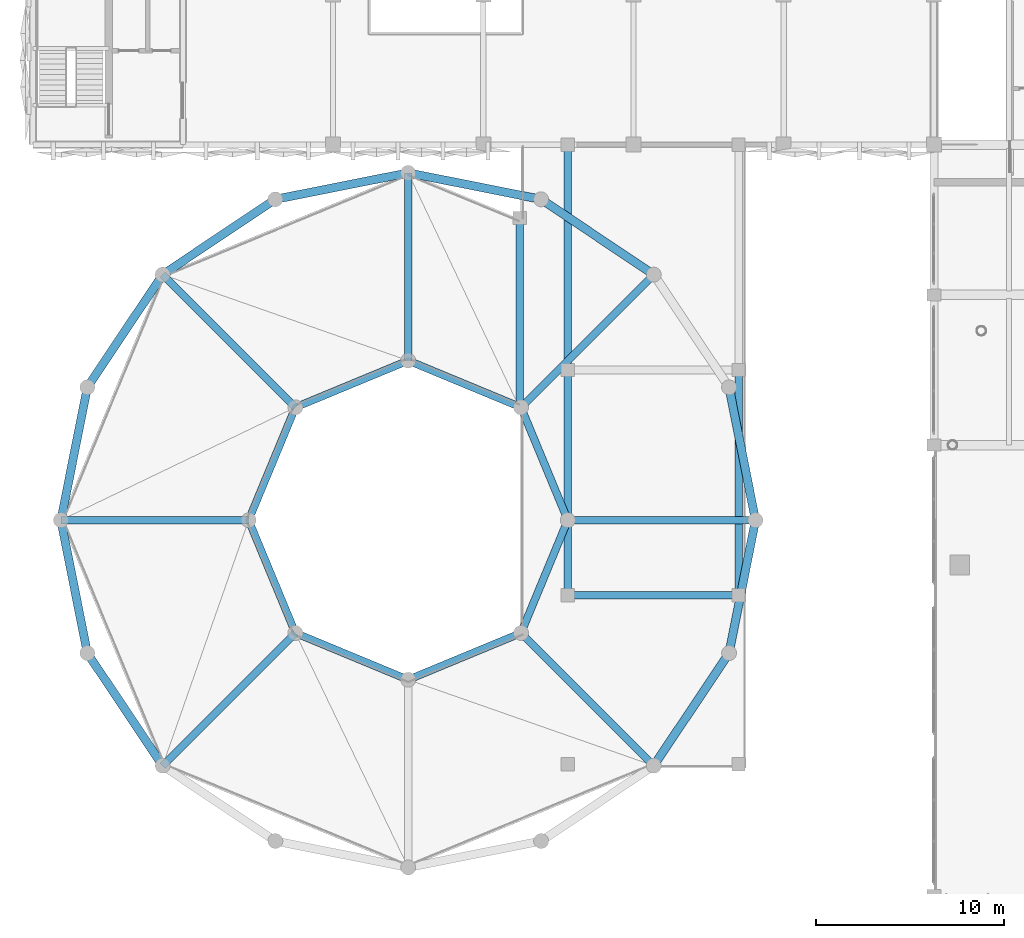
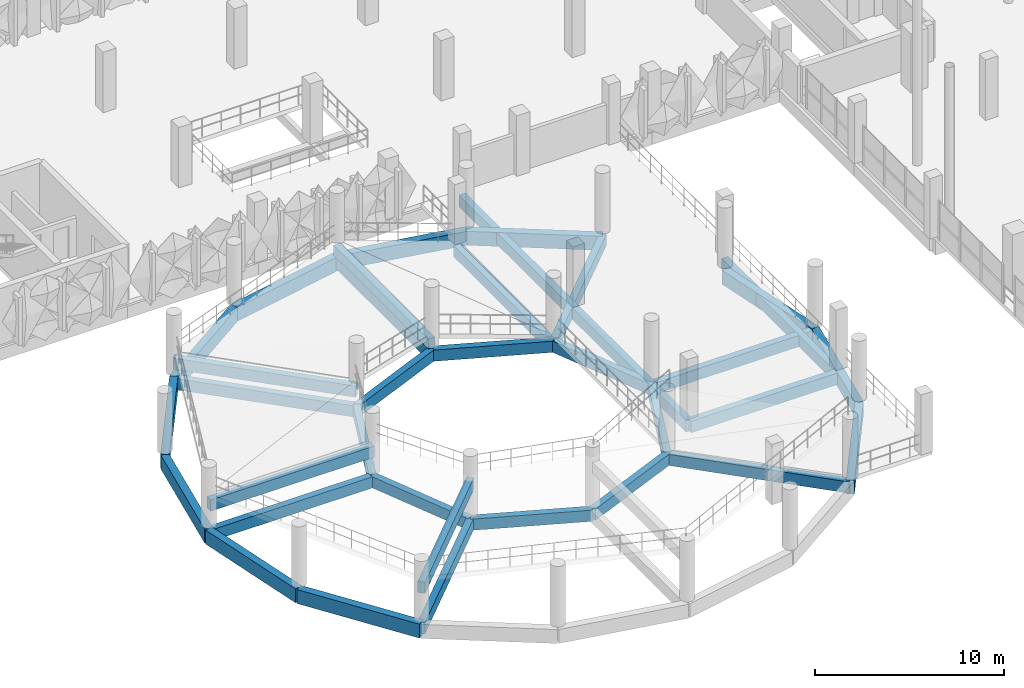
# One storey, part 22 of 123: 35 beams.
"""IFC4 building model written with IfcOpenShell, lengths in metres."""

from ifc_helpers import new_model, si_unit, derived_unit, direction, frame, origin, origin_2d, place, context, subcontext, project, spatial, rectangle, extrude, material, material_profile, profile_set, type_object, element, save


model = new_model("IFC4")

# Units and contexts
model_context = context("Model", 3, precision=1e-05, world=origin(), true_north=direction((0.0, 1.0)))
body_context = subcontext(model_context, "Body", "Model", "MODEL_VIEW")
ifc_project = project(units=[si_unit("LENGTHUNIT", "METRE"), si_unit("AREAUNIT", "SQUARE_METRE"), si_unit("VOLUMEUNIT", "CUBIC_METRE"), si_unit("PLANEANGLEUNIT", "RADIAN"), si_unit("MASSUNIT", "GRAM", prefix="KILO"), si_unit("THERMODYNAMICTEMPERATUREUNIT", "KELVIN"), derived_unit("THERMALTRANSMITTANCEUNIT", [(si_unit("POWERUNIT", "WATT"), 1), (si_unit("AREAUNIT", "SQUARE_METRE"), -1), (si_unit("THERMODYNAMICTEMPERATUREUNIT", "KELVIN"), -1)])], contexts=[model_context])

# Site, building, storey
site_placement = place(None, origin())
site = spatial("IfcSite", under=ifc_project, at=site_placement, CompositionType="ELEMENT")
building_placement = place(site_placement, origin())
building = spatial("IfcBuilding", under=site, at=building_placement, Name="Haiyu Intermodal Mobility Hub", CompositionType="ELEMENT")
storey_placement = place(building_placement, frame((0.0, 0.0, 5.60009765625)))
storey = spatial("IfcBuildingStorey", under=building, at=storey_placement, Name="L01", CompositionType="ELEMENT", Elevation=5.60009765625)

# Beams
ifc_material = material(Name="Concrete C40", Category="concrete")
ifc_material_profile_1 = material_profile(ifc_material, rectangle(XDim=0.39990234375, YDim=0.75, at=origin_2d()), Name="RCB400x750")
ifc_profile_set_1 = profile_set([ifc_material_profile_1], Name="Concrete C40")
beam_type_1 = type_object("IfcBeamType", Name="BM-CB03", PredefinedType="BEAM", material=ifc_profile_set_1)
beam_1_placement = place(storey_placement, frame((42.5, 56.0, -0.655029296875), z_axis=(1.0, 0.0, 0.0), x_axis=(0.0, 1.0, 0.0)))
element("IfcBeam", 1, at=beam_1_placement, inside=storey, type_object=beam_type_1, Name="BM-RMPL-L01-033", PredefinedType="BEAM", context=body_context, shape_type="SweptSolid", body=[
    extrude(rectangle(XDim=0.39990234375, YDim=0.75, at=origin_2d()), origin(), (0.0, 0.0, 1.0), 9.10009765625),
])
for number, where, z_axis, x_axis, name in (
    (2, (51.60009765625, 56.0, -0.655029296875), (0.0, 1.0, 0.0), (-1.0, 0.0, 0.0), "BM-RMPLE-L01-036"),
    (3, (42.5, 56.0, -0.655029296875), (0.0, 1.0, 0.0), (-1.0, 0.0, 0.0), "BM-RMPLW-L01-037"),
    (4, (42.5, 68.0, -0.655029296875), (0.0, 1.0, 0.0), (-1.0, 0.0, 0.0), "BM-RMPLW-L01-039"),
):
    element("IfcBeam", number, at=place(storey_placement, frame(where, z_axis=z_axis, x_axis=x_axis)), inside=storey, type_object=beam_type_1, Name=name, PredefinedType="BEAM", context=body_context, shape_type="SweptSolid", body=[
        extrude(rectangle(XDim=0.39990234375, YDim=0.75, at=origin_2d()), origin(), (0.0, 0.0, 1.0), 12.0),
    ])
ifc_material_profile_2 = material_profile(ifc_material, rectangle(XDim=0.449951171875, YDim=0.89990234375, at=origin_2d()), Name="RCB450x900")
ifc_profile_set_2 = profile_set([ifc_material_profile_2], Name="Concrete C40")
beam_type_2 = type_object("IfcBeamType", Name="BM-CB10", PredefinedType="BEAM", material=ifc_profile_set_2)
beam_2_placement = place(storey_placement, frame((52.5, 60.0, -0.72998046875), z_axis=(-0.195042866972, 0.980794718605, 0.0), x_axis=(-0.980794718605, -0.195042866972, 0.0)))
element("IfcBeam", 5, at=beam_2_placement, inside=storey, type_object=beam_type_2, Name="BM-RMP-O-L01-001", PredefinedType="BEAM", context=body_context, shape_type="SweptSolid", body=[
    extrude(rectangle(XDim=0.449951171875, YDim=0.89990234375, at=origin_2d()), origin(), (0.0, 0.0, 1.0), 7.21875),
])
beam_3_placement = place(storey_placement, frame((47.0810546875, 73.0810546875, -0.72998046875), z_axis=(-0.831388838942, 0.555691099877, 0.0), x_axis=(-0.555691099877, -0.831388838942, 0.0)))
element("IfcBeam", 6, at=beam_3_placement, inside=storey, type_object=beam_type_2, Name="BM-RMP-O-L01-003", PredefinedType="BEAM", context=body_context, shape_type="SweptSolid", body=[
    extrude(rectangle(XDim=0.449951171875, YDim=0.89990234375, at=origin_2d()), origin(), (0.0, 0.0, 1.0), 7.218017578125),
])
for number, where, z_axis, x_axis, name in (
    (7, (41.080078125, 77.092041015625, -0.72998046875), (-0.980794718605, 0.195042866972, 0.0), (-0.195042866972, -0.980794718605, 0.0), "BM-RMP-O-L01-004"),
    (8, (34.0, 78.5, -0.72998046875), (-0.980794718605, -0.195042866972, 0.0), (0.195042866972, -0.980794718605, 0.0), "BM-RMP-O-L01-005"),
):
    element("IfcBeam", number, at=place(storey_placement, frame(where, z_axis=z_axis, x_axis=x_axis)), inside=storey, type_object=beam_type_2, Name=name, PredefinedType="BEAM", context=body_context, shape_type="SweptSolid", body=[
        extrude(rectangle(XDim=0.449951171875, YDim=0.89990234375, at=origin_2d()), origin(), (0.0, 0.0, 1.0), 7.21875),
    ])
for number, where, z_axis, x_axis, name in (
    (9, (26.919921875, 77.092041015625, -0.72998046875), (-0.831388838942, -0.555691099877, 0.0), (0.555691099877, -0.831388838942, 0.0), "BM-RMP-O-L01-006"),
    (10, (20.9189453125, 73.0810546875, -0.72998046875), (-0.555691099877, -0.831388838942, 0.0), (0.831388838942, -0.555691099877, 0.0), "BM-RMP-O-L01-007"),
):
    element("IfcBeam", number, at=place(storey_placement, frame(where, z_axis=z_axis, x_axis=x_axis)), inside=storey, type_object=beam_type_2, Name=name, PredefinedType="BEAM", context=body_context, shape_type="SweptSolid", body=[
        extrude(rectangle(XDim=0.449951171875, YDim=0.89990234375, at=origin_2d()), origin(), (0.0, 0.0, 1.0), 7.218017578125),
    ])
for number, where, z_axis, x_axis, name in (
    (11, (16.907958984375, 67.080078125, -0.72998046875), (-0.195042866972, -0.980794718605, 0.0), (0.980794718605, -0.195042866972, 0.0), "BM-RMP-O-L01-008"),
    (12, (15.5, 60.0, -0.72998046875), (0.195042866972, -0.980794718605, 0.0), (0.980794718605, 0.195042866972, 0.0), "BM-RMP-O-L01-009"),
):
    element("IfcBeam", number, at=place(storey_placement, frame(where, z_axis=z_axis, x_axis=x_axis)), inside=storey, type_object=beam_type_2, Name=name, PredefinedType="BEAM", context=body_context, shape_type="SweptSolid", body=[
        extrude(rectangle(XDim=0.449951171875, YDim=0.89990234375, at=origin_2d()), origin(), (0.0, 0.0, 1.0), 7.21875),
    ])
for number, where, z_axis, x_axis, name in (
    (13, (16.907958984375, 52.919921875, -0.72998046875), (0.555691099877, -0.831388838942, 0.0), (0.831388838942, 0.555691099877, 0.0), "BM-RMP-O-L01-010"),
    (14, (47.0810546875, 46.9189453125, -0.72998046875), (0.555691099877, 0.831388838942, 0.0), (-0.831388838942, 0.555691099877, 0.0), "BM-RMP-O-L01-015"),
):
    element("IfcBeam", number, at=place(storey_placement, frame(where, z_axis=z_axis, x_axis=x_axis)), inside=storey, type_object=beam_type_2, Name=name, PredefinedType="BEAM", context=body_context, shape_type="SweptSolid", body=[
        extrude(rectangle(XDim=0.449951171875, YDim=0.89990234375, at=origin_2d()), origin(), (0.0, 0.0, 1.0), 7.218017578125),
    ])
beam_4_placement = place(storey_placement, frame((51.092041015625, 52.919921875, -0.72998046875), z_axis=(0.195042866972, 0.980794718605, 0.0), x_axis=(-0.980794718605, 0.195042866972, 0.0)))
element("IfcBeam", 15, at=beam_4_placement, inside=storey, type_object=beam_type_2, Name="BM-RMP-O-L01-016", PredefinedType="BEAM", context=body_context, shape_type="SweptSolid", body=[
    extrude(rectangle(XDim=0.449951171875, YDim=0.89990234375, at=origin_2d()), origin(), (0.0, 0.0, 1.0), 7.21875),
])
ifc_material_profile_3 = material_profile(ifc_material, rectangle(XDim=0.39990234375, YDim=0.719970703125, at=origin_2d()), Name="RCB400x720")
ifc_profile_set_3 = profile_set([ifc_material_profile_3], Name="Concrete C40")
beam_type_3 = type_object("IfcBeamType", Name="BM-CB11", PredefinedType="BEAM", material=ifc_profile_set_3)
beam_5_placement = place(storey_placement, frame((42.5, 60.0, -0.64013671875), z_axis=(-0.382757258538, 0.923848949253, 0.0), x_axis=(-0.923848949253, -0.382757258538, 0.0)))
element("IfcBeam", 16, at=beam_5_placement, inside=storey, type_object=beam_type_3, Name="BM-RMP-I-L01-017", PredefinedType="BEAM", context=body_context, shape_type="SweptSolid", body=[
    extrude(rectangle(XDim=0.39990234375, YDim=0.719970703125, at=origin_2d()), origin(), (0.0, 0.0, 1.0), 6.50537109375),
])
beam_6_placement = place(storey_placement, frame((42.5, 60.0, -0.64013671875), z_axis=(1.0, 0.0, 0.0), x_axis=(0.0, 1.0, 0.0)))
element("IfcBeam", 17, at=beam_6_placement, inside=storey, type_object=beam_type_3, Name="BM-RMP-R-L01-018", PredefinedType="BEAM", context=body_context, shape_type="SweptSolid", body=[
    extrude(rectangle(XDim=0.39990234375, YDim=0.719970703125, at=origin_2d()), origin(), (0.0, 0.0, 1.0), 10.0),
])
beam_7_placement = place(storey_placement, frame((40.010009765625, 66.010009765625, -0.64013671875), z_axis=(-0.923848949253, 0.382757258538, 0.0), x_axis=(-0.382757258538, -0.923848949253, 0.0)))
element("IfcBeam", 18, at=beam_7_placement, inside=storey, type_object=beam_type_3, Name="BM-RMP-I-L01-019", PredefinedType="BEAM", context=body_context, shape_type="SweptSolid", body=[
    extrude(rectangle(XDim=0.39990234375, YDim=0.719970703125, at=origin_2d()), origin(), (0.0, 0.0, 1.0), 6.50537109375),
])
beam_8_placement = place(storey_placement, frame((40.010009765625, 66.010009765625, -0.64013671875), z_axis=(0.707106781187, 0.707106781187, 0.0), x_axis=(-0.707106781187, 0.707106781187, 0.0)))
element("IfcBeam", 19, at=beam_8_placement, inside=storey, type_object=beam_type_3, Name="BM-RMP-R-L01-020", PredefinedType="BEAM", context=body_context, shape_type="SweptSolid", body=[
    extrude(rectangle(XDim=0.39990234375, YDim=0.719970703125, at=origin_2d()), origin(), (0.0, 0.0, 1.0), 10.0),
])
beam_9_placement = place(storey_placement, frame((34.0, 68.5, -0.64013671875), z_axis=(-0.923848949253, -0.382757258538, 0.0), x_axis=(0.382757258538, -0.923848949253, 0.0)))
element("IfcBeam", 20, at=beam_9_placement, inside=storey, type_object=beam_type_3, Name="BM-RMP-I-L01-021", PredefinedType="BEAM", context=body_context, shape_type="SweptSolid", body=[
    extrude(rectangle(XDim=0.39990234375, YDim=0.719970703125, at=origin_2d()), origin(), (0.0, 0.0, 1.0), 6.50537109375),
])
beam_10_placement = place(storey_placement, frame((34.0, 68.5, -0.64013671875), z_axis=(0.0, 1.0, 0.0), x_axis=(-1.0, 0.0, 0.0)))
element("IfcBeam", 21, at=beam_10_placement, inside=storey, type_object=beam_type_3, Name="BM-RMP-R-L01-022", PredefinedType="BEAM", context=body_context, shape_type="SweptSolid", body=[
    extrude(rectangle(XDim=0.39990234375, YDim=0.719970703125, at=origin_2d()), origin(), (0.0, 0.0, 1.0), 10.0),
])
beam_11_placement = place(storey_placement, frame((27.989990234375, 66.010009765625, -0.64013671875), z_axis=(-0.382757258538, -0.923848949253, 0.0), x_axis=(0.923848949253, -0.382757258538, 0.0)))
element("IfcBeam", 22, at=beam_11_placement, inside=storey, type_object=beam_type_3, Name="BM-RMP-I-L01-023", PredefinedType="BEAM", context=body_context, shape_type="SweptSolid", body=[
    extrude(rectangle(XDim=0.39990234375, YDim=0.719970703125, at=origin_2d()), origin(), (0.0, 0.0, 1.0), 6.50537109375),
])
beam_12_placement = place(storey_placement, frame((27.989990234375, 66.010009765625, -0.64013671875), z_axis=(-0.707106781187, 0.707106781187, 0.0), x_axis=(-0.707106781187, -0.707106781187, 0.0)))
element("IfcBeam", 23, at=beam_12_placement, inside=storey, type_object=beam_type_3, Name="BM-RMP-R-L01-024", PredefinedType="BEAM", context=body_context, shape_type="SweptSolid", body=[
    extrude(rectangle(XDim=0.39990234375, YDim=0.719970703125, at=origin_2d()), origin(), (0.0, 0.0, 1.0), 10.0),
])
beam_13_placement = place(storey_placement, frame((25.5, 60.0, -0.64013671875), z_axis=(0.382757258538, -0.923848949253, 0.0), x_axis=(0.923848949253, 0.382757258538, 0.0)))
element("IfcBeam", 24, at=beam_13_placement, inside=storey, type_object=beam_type_3, Name="BM-RMP-I-L01-025", PredefinedType="BEAM", context=body_context, shape_type="SweptSolid", body=[
    extrude(rectangle(XDim=0.39990234375, YDim=0.719970703125, at=origin_2d()), origin(), (0.0, 0.0, 1.0), 6.50537109375),
])
beam_14_placement = place(storey_placement, frame((25.5, 60.0, -0.64013671875), z_axis=(-1.0, 0.0, 0.0), x_axis=(0.0, -1.0, 0.0)))
element("IfcBeam", 25, at=beam_14_placement, inside=storey, type_object=beam_type_3, Name="BM-RMP-R-L01-026", PredefinedType="BEAM", context=body_context, shape_type="SweptSolid", body=[
    extrude(rectangle(XDim=0.39990234375, YDim=0.719970703125, at=origin_2d()), origin(), (0.0, 0.0, 1.0), 10.0),
])
beam_15_placement = place(storey_placement, frame((27.989990234375, 53.989990234375, -0.64013671875), z_axis=(0.923848949253, -0.382757258538, 0.0), x_axis=(0.382757258538, 0.923848949253, 0.0)))
element("IfcBeam", 26, at=beam_15_placement, inside=storey, type_object=beam_type_3, Name="BM-RMP-I-L01-027", PredefinedType="BEAM", context=body_context, shape_type="SweptSolid", body=[
    extrude(rectangle(XDim=0.39990234375, YDim=0.719970703125, at=origin_2d()), origin(), (0.0, 0.0, 1.0), 6.50537109375),
])
beam_16_placement = place(storey_placement, frame((27.989990234375, 53.989990234375, -0.64013671875), z_axis=(-0.707106781187, -0.707106781187, 0.0), x_axis=(0.707106781187, -0.707106781187, 0.0)))
element("IfcBeam", 27, at=beam_16_placement, inside=storey, type_object=beam_type_3, Name="BM-RMP-R-L01-028", PredefinedType="BEAM", context=body_context, shape_type="SweptSolid", body=[
    extrude(rectangle(XDim=0.39990234375, YDim=0.719970703125, at=origin_2d()), origin(), (0.0, 0.0, 1.0), 10.0),
])
for number, where, z_axis, x_axis, name in (
    (28, (34.0, 51.5, -0.64013671875), (0.923848949253, 0.382757258538, 0.0), (-0.382757258538, 0.923848949253, 0.0), "BM-RMP-I-L01-029"),
    (29, (40.010009765625, 53.989990234375, -0.64013671875), (0.382757258538, 0.923848949253, 0.0), (-0.923848949253, 0.382757258538, 0.0), "BM-RMP-I-L01-031"),
):
    element("IfcBeam", number, at=place(storey_placement, frame(where, z_axis=z_axis, x_axis=x_axis)), inside=storey, type_object=beam_type_3, Name=name, PredefinedType="BEAM", context=body_context, shape_type="SweptSolid", body=[
        extrude(rectangle(XDim=0.39990234375, YDim=0.719970703125, at=origin_2d()), origin(), (0.0, 0.0, 1.0), 6.50537109375),
    ])
beam_17_placement = place(storey_placement, frame((40.010009765625, 53.989990234375, -0.64013671875), z_axis=(0.707106781187, -0.707106781187, 0.0), x_axis=(0.707106781187, 0.707106781187, 0.0)))
element("IfcBeam", 30, at=beam_17_placement, inside=storey, type_object=beam_type_3, Name="BM-RMP-R-L01-032", PredefinedType="BEAM", context=body_context, shape_type="SweptSolid", body=[
    extrude(rectangle(XDim=0.39990234375, YDim=0.719970703125, at=origin_2d()), origin(), (0.0, 0.0, 1.0), 10.0),
])
beam_18_placement = place(storey_placement, frame((39.93994140625, 66.0, -0.64501953125), z_axis=(0.0, 1.0, 0.0), x_axis=(-1.0, 0.0, 0.0)))
element("IfcBeam", 31, at=beam_18_placement, inside=storey, type_object=beam_type_3, Name="BM-RMPM-L01-00", PredefinedType="BEAM", context=body_context, shape_type="SweptSolid", body=[
    extrude(rectangle(XDim=0.39990234375, YDim=0.719970703125, at=origin_2d()), origin(), (0.0, 0.0, 1.0), 10.10009765625),
])
for number, where, z_axis, x_axis, name in (
    (32, (34.0, 68.5, 0.0048828125), (0.0, 1.0, 0.0), (-1.0, 0.0, 0.0), "BM-RMPM-L01-01"),
    (33, (27.989990234375, 66.010009765625, 0.65478515625), (-0.707106781187, 0.707106781187, 0.0), (-0.707106781187, -0.707106781187, 0.0), "BM-RMPM-L01-02"),
    (34, (25.5, 60.0, 1.304931640625), (-1.0, 0.0, 0.0), (0.0, -1.0, 0.0), "BM-RMPM-L01-03"),
    (35, (27.989990234375, 53.989990234375, 1.954833984375), (-0.707106781187, -0.707106781187, 0.0), (0.707106781187, -0.707106781187, 0.0), "BM-RMPM-L01-04"),
):
    element("IfcBeam", number, at=place(storey_placement, frame(where, z_axis=z_axis, x_axis=x_axis)), inside=storey, type_object=beam_type_3, Name=name, PredefinedType="BEAM", context=body_context, shape_type="SweptSolid", body=[
        extrude(rectangle(XDim=0.39990234375, YDim=0.719970703125, at=origin_2d()), origin(), (0.0, 0.0, 1.0), 10.0),
    ])

save(model, "model.ifc")
